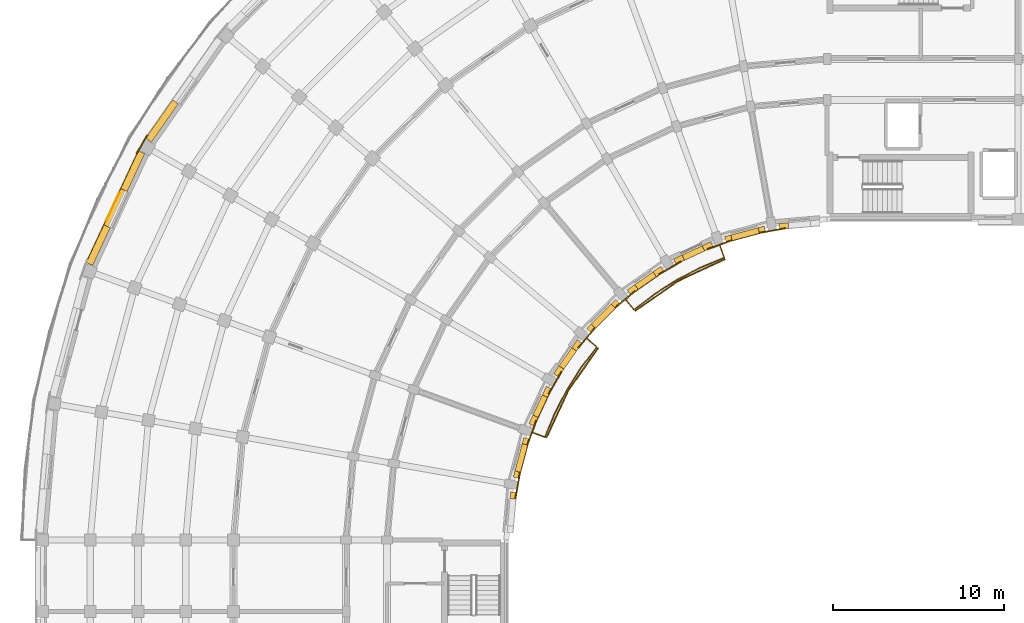
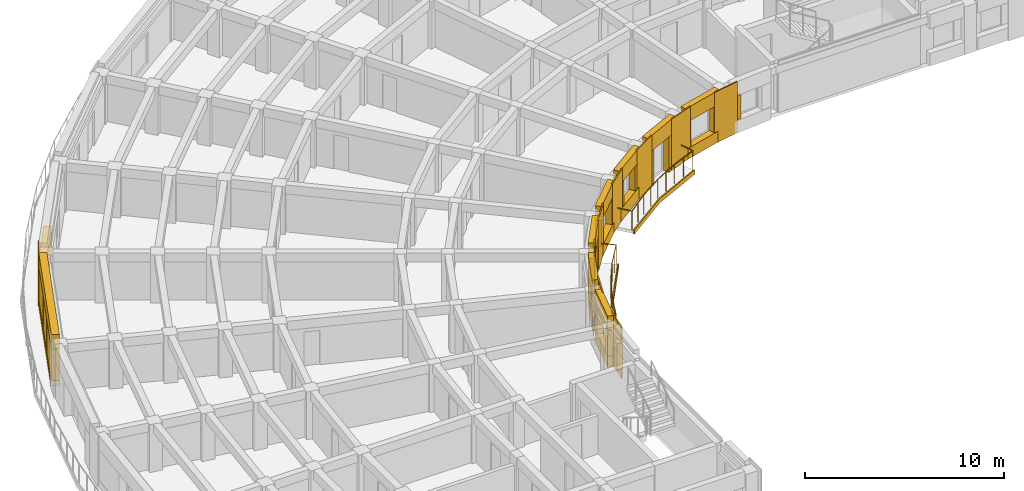
# One storey, part 45 of 54: 44 coverings, 2 railings, 1 shading device.
"""IFC4 building model written with IfcOpenShell, lengths in metres."""

from ifc_helpers import new_model, si_unit, direction, frame, origin, origin_2d, place, context, subcontext, project, spatial, polyline, rectangle, circle, outline, extrude, material, layer, layer_set, type_object, element, save


model = new_model("IFC4")

# Units and contexts
model_context = context("Model", 3, precision=1e-05, world=origin(), true_north=direction((0.0, 1.0)))
body_context = subcontext(model_context, "Body", "Model", "MODEL_VIEW")
ifc_project = project(units=[si_unit("LENGTHUNIT", "METRE"), si_unit("AREAUNIT", "SQUARE_METRE"), si_unit("VOLUMEUNIT", "CUBIC_METRE"), si_unit("PLANEANGLEUNIT", "RADIAN"), si_unit("MASSUNIT", "GRAM", prefix="KILO")], contexts=[model_context])

# Site, building, storey
site_placement = place(None, origin())
site = spatial("IfcSite", under=ifc_project, at=site_placement, CompositionType="ELEMENT")
building_placement = place(site_placement, origin())
building = spatial("IfcBuilding", under=site, at=building_placement, Name="Kiranvali Square Residences", CompositionType="ELEMENT")
storey_placement = place(building_placement, frame((0.0, 0.0, 27.60009765625)))
storey = spatial("IfcBuildingStorey", under=building, at=storey_placement, Name="L08", CompositionType="ELEMENT", Elevation=27.60009765625)

# Coverings
ifc_material_1 = material(Name="Carved Porbandar limestone classical entablature and cornice", Category="masonry")
ifc_layer_1 = layer(ifc_material_1, 0.06201171875)
ifc_layer_set_1 = layer_set([ifc_layer_1], Name="Carved Porbandar limestone classical entablature and cornice")
covering_type_1 = type_object("IfcCoveringType", Name="COV-CLAD-GBAL", PredefinedType="CLADDING", material=ifc_layer_set_1)
covering_1_placement = place(storey_placement, frame((0.0, 0.0, -0.22021484375)))
element("IfcCovering", 1, at=covering_1_placement, inside=storey, type_object=covering_type_1, Name="Block A L08 garden balcony limestone fascia 1", PredefinedType="CLADDING", context=body_context, shape_type="SweptSolid", body=[
    extrude(outline(polyline([(42.1982421875, 104.289794921875), (39.426025390625, 102.9970703125), (36.92041015625, 101.242431640625), (36.964111328125, 101.1904296875), (39.4599609375, 102.938232421875), (42.221435546875, 104.225830078125), (42.1982421875, 104.289794921875)])), origin(), (0.0, 0.0, 1.0), 0.27001953125),
])
covering_2_placement = place(storey_placement, frame((0.0, 0.0, -0.22021484375)))
element("IfcCovering", 2, at=covering_2_placement, inside=storey, type_object=covering_type_1, Name="Block A L08 garden balcony limestone fascia 2", PredefinedType="CLADDING", context=body_context, shape_type="SweptSolid", body=[
    extrude(outline(polyline([(34.757568359375, 99.07958984375), (33.0029296875, 96.573974609375), (31.710205078125, 93.8017578125), (31.774169921875, 93.778564453125), (33.061767578125, 96.5400390625), (34.8095703125, 99.035888671875), (34.757568359375, 99.07958984375)])), origin(), (0.0, 0.0, 1.0), 0.27001953125),
])
ifc_material_2 = material(Name="Honed Porbandar limestone ashlar facade cladding", Category="masonry")
ifc_layer_2 = layer(ifc_material_2, 0.3798828125)
ifc_layer_set_2 = layer_set([ifc_layer_2], Name="Honed Porbandar limestone ashlar facade cladding")
covering_type_2 = type_object("IfcCoveringType", Name="COV-CLAD-JAMB", PredefinedType="CLADDING", material=ifc_layer_set_2)
covering_3_placement = place(storey_placement, frame((0.0, 0.0, 0.52197265625)))
element("IfcCovering", 3, at=covering_3_placement, inside=storey, type_object=covering_type_2, Name="L08 deep limestone window jamb reveal A-L08-CRV-05.R", PredefinedType="CLADDING", context=body_context, shape_type="SweptSolid", body=[
    extrude(outline(polyline([(9.82470703125, 113.6025390625), (8.25634765625, 111.36279296875), (8.591796875, 111.1279296875), (10.16015625, 113.36767578125), (9.82470703125, 113.6025390625)])), origin(), (0.0, 0.0, 1.0), 1.75),
])
covering_4_placement = place(storey_placement, frame((0.0, 0.0, 0.322021484375)))
element("IfcCovering", 4, at=covering_4_placement, inside=storey, type_object=covering_type_2, Name="L08 deep limestone window jamb reveal A-L08-CRV-06.L", PredefinedType="CLADDING", context=body_context, shape_type="SweptSolid", body=[
    extrude(outline(polyline([(7.822265625, 110.61083984375), (6.79345703125, 108.404541015625), (7.16455078125, 108.231689453125), (8.193359375, 110.437744140625), (7.822265625, 110.61083984375)])), origin(), (0.0, 0.0, 1.0), 1.949951171875),
])
covering_5_placement = place(storey_placement, frame((0.0, 0.0, 0.322021484375)))
element("IfcCovering", 5, at=covering_5_placement, inside=storey, type_object=covering_type_2, Name="L08 deep limestone window jamb reveal A-L08-CRV-06.R", PredefinedType="CLADDING", context=body_context, shape_type="SweptSolid", body=[
    extrude(outline(polyline([(5.80029296875, 106.27490234375), (4.771484375, 104.068603515625), (5.142822265625, 103.895751953125), (6.17138671875, 106.101806640625), (5.80029296875, 106.27490234375)])), origin(), (0.0, 0.0, 1.0), 1.949951171875),
])
covering_6_placement = place(storey_placement, frame((0.0, 0.0, 0.77197265625)))
element("IfcCovering", 6, at=covering_6_placement, inside=storey, type_object=covering_type_2, Name="L08 deep limestone window jamb reveal A-L08-GDN-00.R", PredefinedType="CLADDING", context=body_context, shape_type="SweptSolid", body=[
    extrude(outline(polyline([(45.920166015625, 106.400146484375), (45.373779296875, 106.352294921875), (45.4033203125, 106.013916015625), (45.94970703125, 106.061767578125), (45.920166015625, 106.400146484375)])), origin(), (0.0, 0.0, 1.0), 1.5),
])
covering_7_placement = place(storey_placement, frame((0.0, 0.0, 0.671875)))
element("IfcCovering", 7, at=covering_7_placement, inside=storey, type_object=covering_type_2, Name="L08 deep limestone window jamb reveal A-L08-GDN-01.L", PredefinedType="CLADDING", context=body_context, shape_type="SweptSolid", body=[
    extrude(outline(polyline([(44.510498046875, 106.199951171875), (44.149658203125, 106.103271484375), (44.237548828125, 105.775390625), (44.598388671875, 105.8720703125), (44.510498046875, 106.199951171875)])), origin(), (0.0, 0.0, 1.0), 1.60009765625),
])
covering_8_placement = place(storey_placement, frame((0.0, 0.0, 0.671875)))
element("IfcCovering", 8, at=covering_8_placement, inside=storey, type_object=covering_type_2, Name="L08 deep limestone window jamb reveal A-L08-GDN-01.R", PredefinedType="CLADDING", context=body_context, shape_type="SweptSolid", body=[
    extrude(outline(polyline([(42.555908203125, 105.67626953125), (42.195068359375, 105.57958984375), (42.282958984375, 105.251708984375), (42.643798828125, 105.348388671875), (42.555908203125, 105.67626953125)])), origin(), (0.0, 0.0, 1.0), 1.60009765625),
])
covering_9_placement = place(storey_placement, origin())
element("IfcCovering", 9, at=covering_9_placement, inside=storey, type_object=covering_type_2, Name="L08 deep limestone window jamb reveal A-L08-GDN-02.L", PredefinedType="CLADDING", context=body_context, shape_type="SweptSolid", body=[
    extrude(outline(polyline([(41.37158203125, 105.27978515625), (40.874267578125, 105.048095703125), (41.017822265625, 104.740234375), (41.514892578125, 104.97216796875), (41.37158203125, 105.27978515625)])), origin(), (0.0, 0.0, 1.0), 2.179931640625),
])
covering_10_placement = place(storey_placement, origin())
element("IfcCovering", 10, at=covering_10_placement, inside=storey, type_object=covering_type_2, Name="L08 deep limestone window jamb reveal A-L08-GDN-02.R", PredefinedType="CLADDING", context=body_context, shape_type="SweptSolid", body=[
    extrude(outline(polyline([(39.696044921875, 104.49853515625), (39.198974609375, 104.266845703125), (39.342529296875, 103.958984375), (39.839599609375, 104.19091796875), (39.696044921875, 104.49853515625)])), origin(), (0.0, 0.0, 1.0), 2.179931640625),
])
covering_11_placement = place(storey_placement, frame((0.0, 0.0, 0.77197265625)))
element("IfcCovering", 11, at=covering_11_placement, inside=storey, type_object=covering_type_2, Name="L08 deep limestone window jamb reveal A-L08-GDN-03.L", PredefinedType="CLADDING", context=body_context, shape_type="SweptSolid", body=[
    extrude(outline(polyline([(38.43994140625, 103.828369140625), (37.990478515625, 103.513916015625), (38.185302734375, 103.23583984375), (38.634521484375, 103.55029296875), (38.43994140625, 103.828369140625)])), origin(), (0.0, 0.0, 1.0), 1.5),
])
covering_12_placement = place(storey_placement, frame((0.0, 0.0, 0.77197265625)))
element("IfcCovering", 12, at=covering_12_placement, inside=storey, type_object=covering_type_2, Name="L08 deep limestone window jamb reveal A-L08-GDN-03.R", PredefinedType="CLADDING", context=body_context, shape_type="SweptSolid", body=[
    extrude(outline(polyline([(36.925537109375, 102.768310546875), (36.476318359375, 102.45361328125), (36.671142578125, 102.175537109375), (37.120361328125, 102.490234375), (36.925537109375, 102.768310546875)])), origin(), (0.0, 0.0, 1.0), 1.5),
])
covering_13_placement = place(storey_placement, frame((0.0, 0.0, 0.671875)))
element("IfcCovering", 13, at=covering_13_placement, inside=storey, type_object=covering_type_2, Name="L08 deep limestone window jamb reveal A-L08-GDN-04.L", PredefinedType="CLADDING", context=body_context, shape_type="SweptSolid", body=[
    extrude(outline(polyline([(35.804931640625, 101.89013671875), (35.540771484375, 101.6259765625), (35.78076171875, 101.385986328125), (36.044921875, 101.650146484375), (35.804931640625, 101.89013671875)])), origin(), (0.0, 0.0, 1.0), 1.60009765625),
])
covering_14_placement = place(storey_placement, frame((0.0, 0.0, 0.671875)))
element("IfcCovering", 14, at=covering_14_placement, inside=storey, type_object=covering_type_2, Name="L08 deep limestone window jamb reveal A-L08-GDN-04.R", PredefinedType="CLADDING", context=body_context, shape_type="SweptSolid", body=[
    extrude(outline(polyline([(34.3740234375, 100.459228515625), (34.10986328125, 100.195068359375), (34.349853515625, 99.955078125), (34.614013671875, 100.21923828125), (34.3740234375, 100.459228515625)])), origin(), (0.0, 0.0, 1.0), 1.60009765625),
])
covering_15_placement = place(storey_placement, origin())
element("IfcCovering", 15, at=covering_15_placement, inside=storey, type_object=covering_type_2, Name="L08 deep limestone window jamb reveal A-L08-GDN-05.L", PredefinedType="CLADDING", context=body_context, shape_type="SweptSolid", body=[
    extrude(outline(polyline([(33.54638671875, 99.523681640625), (33.231689453125, 99.074462890625), (33.509765625, 98.879638671875), (33.824462890625, 99.328857421875), (33.54638671875, 99.523681640625)])), origin(), (0.0, 0.0, 1.0), 2.179931640625),
])
covering_16_placement = place(storey_placement, origin())
element("IfcCovering", 16, at=covering_16_placement, inside=storey, type_object=covering_type_2, Name="L08 deep limestone window jamb reveal A-L08-GDN-05.R", PredefinedType="CLADDING", context=body_context, shape_type="SweptSolid", body=[
    extrude(outline(polyline([(32.486083984375, 98.009521484375), (32.171630859375, 97.56005859375), (32.44970703125, 97.365478515625), (32.76416015625, 97.814697265625), (32.486083984375, 98.009521484375)])), origin(), (0.0, 0.0, 1.0), 2.179931640625),
])
covering_17_placement = place(storey_placement, frame((0.0, 0.0, 0.77197265625)))
element("IfcCovering", 17, at=covering_17_placement, inside=storey, type_object=covering_type_2, Name="L08 deep limestone window jamb reveal A-L08-GDN-06.L", PredefinedType="CLADDING", context=body_context, shape_type="SweptSolid", body=[
    extrude(outline(polyline([(31.733154296875, 96.801025390625), (31.50146484375, 96.303955078125), (31.80908203125, 96.160400390625), (32.041015625, 96.657470703125), (31.733154296875, 96.801025390625)])), origin(), (0.0, 0.0, 1.0), 1.5),
])
covering_18_placement = place(storey_placement, frame((0.0, 0.0, 0.77197265625)))
element("IfcCovering", 18, at=covering_18_placement, inside=storey, type_object=covering_type_2, Name="L08 deep limestone window jamb reveal A-L08-GDN-06.R", PredefinedType="CLADDING", context=body_context, shape_type="SweptSolid", body=[
    extrude(outline(polyline([(30.951904296875, 95.125732421875), (30.72021484375, 94.62841796875), (31.02783203125, 94.485107421875), (31.259765625, 94.982177734375), (30.951904296875, 95.125732421875)])), origin(), (0.0, 0.0, 1.0), 1.5),
])
covering_19_placement = place(storey_placement, frame((0.0, 0.0, 0.671875)))
element("IfcCovering", 19, at=covering_19_placement, inside=storey, type_object=covering_type_2, Name="L08 deep limestone window jamb reveal A-L08-GDN-07.L", PredefinedType="CLADDING", context=body_context, shape_type="SweptSolid", body=[
    extrude(outline(polyline([(30.42041015625, 93.804931640625), (30.32373046875, 93.444091796875), (30.651611328125, 93.356201171875), (30.748291015625, 93.717041015625), (30.42041015625, 93.804931640625)])), origin(), (0.0, 0.0, 1.0), 1.60009765625),
])
covering_20_placement = place(storey_placement, frame((0.0, 0.0, 0.671875)))
element("IfcCovering", 20, at=covering_20_placement, inside=storey, type_object=covering_type_2, Name="L08 deep limestone window jamb reveal A-L08-GDN-07.R", PredefinedType="CLADDING", context=body_context, shape_type="SweptSolid", body=[
    extrude(outline(polyline([(29.896728515625, 91.850341796875), (29.800048828125, 91.489501953125), (30.1279296875, 91.401611328125), (30.224609375, 91.762451171875), (29.896728515625, 91.850341796875)])), origin(), (0.0, 0.0, 1.0), 1.60009765625),
])
covering_21_placement = place(storey_placement, frame((0.0, 0.0, 0.621826171875)))
element("IfcCovering", 21, at=covering_21_placement, inside=storey, type_object=covering_type_2, Name="L08 deep limestone window jamb reveal A-L08-GDN-08.L", PredefinedType="CLADDING", context=body_context, shape_type="SweptSolid", body=[
    extrude(outline(polyline([(29.647705078125, 90.626220703125), (29.613037109375, 90.229248046875), (29.951171875, 90.19970703125), (29.986083984375, 90.5966796875), (29.647705078125, 90.626220703125)])), origin(), (0.0, 0.0, 1.0), 1.650146484375),
])
ifc_layer_3 = layer(ifc_material_2, 0.06494140625)
ifc_layer_set_3 = layer_set([ifc_layer_3], Name="Honed Porbandar limestone ashlar facade cladding")
covering_type_3 = type_object("IfcCoveringType", Name="COV-CLAD-PIER", PredefinedType="CLADDING", material=ifc_layer_set_3)
covering_22_placement = place(storey_placement, frame((0.0, 0.0, 0.0048828125)))
element("IfcCovering", 22, at=covering_22_placement, inside=storey, type_object=covering_type_3, Name="L08 Classical limestone corner pilaster CLAD-PR-A-L08-A06", PredefinedType="CLADDING", context=body_context, shape_type="SweptSolid", body=[
    extrude(outline(polyline([(8.31591796875, 111.5546875), (7.685791015625, 110.46337890625), (7.744384765625, 110.4296875), (8.374267578125, 111.520751953125), (8.31591796875, 111.5546875)])), origin(), (0.0, 0.0, 1.0), 3.14013671875),
])
ifc_layer_4 = layer(ifc_material_2, 0.050048828125)
ifc_layer_set_4 = layer_set([ifc_layer_4], Name="Honed Porbandar limestone ashlar facade cladding")
covering_type_4 = type_object("IfcCoveringType", Name="COV-CLAD-PIER-IN", PredefinedType="CLADDING", material=ifc_layer_set_4)
covering_23_placement = place(storey_placement, frame((0.0, 0.0, 0.0048828125)))
element("IfcCovering", 23, at=covering_23_placement, inside=storey, type_object=covering_type_4, Name="L08 Classical garden courtyard pilaster CLAD-PRIN-A-L08-A01", PredefinedType="CLADDING", context=body_context, shape_type="SweptSolid", body=[
    extrude(outline(polyline([(44.269287109375, 105.7724609375), (45.74658203125, 106.032958984375), (45.73486328125, 106.099365234375), (44.257568359375, 105.8388671875), (44.269287109375, 105.7724609375)])), origin(), (0.0, 0.0, 1.0), 3.14013671875),
])
covering_24_placement = place(storey_placement, frame((0.0, 0.0, 0.0048828125)))
element("IfcCovering", 24, at=covering_24_placement, inside=storey, type_object=covering_type_4, Name="L08 Classical garden courtyard pilaster CLAD-PRIN-A-L08-A02", PredefinedType="CLADDING", context=body_context, shape_type="SweptSolid", body=[
    extrude(outline(polyline([(41.208251953125, 104.81689453125), (42.61767578125, 105.329833984375), (42.5947265625, 105.393310546875), (41.18505859375, 104.88037109375), (41.208251953125, 104.81689453125)])), origin(), (0.0, 0.0, 1.0), 3.14013671875),
])
covering_25_placement = place(storey_placement, frame((0.0, 0.0, 0.0048828125)))
element("IfcCovering", 25, at=covering_25_placement, inside=storey, type_object=covering_type_4, Name="L08 Classical garden courtyard pilaster CLAD-PRIN-A-L08-A03", PredefinedType="CLADDING", context=body_context, shape_type="SweptSolid", body=[
    extrude(outline(polyline([(38.359375, 103.34423828125), (39.658447265625, 104.09423828125), (39.624755859375, 104.15283203125), (38.32568359375, 103.40283203125), (38.359375, 103.34423828125)])), origin(), (0.0, 0.0, 1.0), 3.14013671875),
])
covering_26_placement = place(storey_placement, frame((0.0, 0.0, 0.0048828125)))
element("IfcCovering", 26, at=covering_26_placement, inside=storey, type_object=covering_type_4, Name="L08 Classical garden courtyard pilaster CLAD-PRIN-A-L08-A04", PredefinedType="CLADDING", context=body_context, shape_type="SweptSolid", body=[
    extrude(outline(polyline([(35.809814453125, 101.3994140625), (36.958740234375, 102.363525390625), (36.91552734375, 102.415283203125), (35.766357421875, 101.451171875), (35.809814453125, 101.3994140625)])), origin(), (0.0, 0.0, 1.0), 3.14013671875),
])
covering_27_placement = place(storey_placement, frame((0.0, 0.0, 0.0048828125)))
element("IfcCovering", 27, at=covering_27_placement, inside=storey, type_object=covering_type_4, Name="L08 Classical garden courtyard pilaster CLAD-PRIN-A-L08-A05", PredefinedType="CLADDING", context=body_context, shape_type="SweptSolid", body=[
    extrude(outline(polyline([(33.636474609375, 99.041259765625), (34.6005859375, 100.190185546875), (34.548828125, 100.233642578125), (33.584716796875, 99.08447265625), (33.636474609375, 99.041259765625)])), origin(), (0.0, 0.0, 1.0), 3.14013671875),
])
covering_28_placement = place(storey_placement, frame((0.0, 0.0, 0.0048828125)))
element("IfcCovering", 28, at=covering_28_placement, inside=storey, type_object=covering_type_4, Name="L08 Classical garden courtyard pilaster CLAD-PRIN-A-L08-A06", PredefinedType="CLADDING", context=body_context, shape_type="SweptSolid", body=[
    extrude(outline(polyline([(31.90576171875, 96.341552734375), (32.65576171875, 97.640625), (32.59716796875, 97.67431640625), (31.84716796875, 96.375244140625), (31.90576171875, 96.341552734375)])), origin(), (0.0, 0.0, 1.0), 3.14013671875),
])
covering_29_placement = place(storey_placement, frame((0.0, 0.0, 0.0048828125)))
element("IfcCovering", 29, at=covering_29_placement, inside=storey, type_object=covering_type_4, Name="L08 Classical garden courtyard pilaster CLAD-PRIN-A-L08-A07", PredefinedType="CLADDING", context=body_context, shape_type="SweptSolid", body=[
    extrude(outline(polyline([(30.670166015625, 93.38232421875), (31.18310546875, 94.791748046875), (31.11962890625, 94.81494140625), (30.606689453125, 93.4052734375), (30.670166015625, 93.38232421875)])), origin(), (0.0, 0.0, 1.0), 3.14013671875),
])
covering_30_placement = place(storey_placement, frame((0.0, 0.0, 0.0048828125)))
element("IfcCovering", 30, at=covering_30_placement, inside=storey, type_object=covering_type_4, Name="L08 Classical garden courtyard pilaster CLAD-PRIN-A-L08-A08", PredefinedType="CLADDING", context=body_context, shape_type="SweptSolid", body=[
    extrude(outline(polyline([(29.967041015625, 90.25341796875), (30.2275390625, 91.730712890625), (30.1611328125, 91.742431640625), (29.900634765625, 90.26513671875), (29.967041015625, 90.25341796875)])), origin(), (0.0, 0.0, 1.0), 3.14013671875),
])
ifc_layer_5 = layer(ifc_material_2, 0.360107421875)
ifc_layer_set_5 = layer_set([ifc_layer_5], Name="Honed Porbandar limestone ashlar facade cladding")
covering_type_5 = type_object("IfcCoveringType", Name="COV-CLAD-WALL", PredefinedType="CLADDING", material=ifc_layer_set_5)
covering_31_placement = place(storey_placement, frame((0.0, 0.0, 2.27197265625)))
element("IfcCovering", 31, at=covering_31_placement, inside=storey, type_object=covering_type_5, Name="L08 light limestone spandrel lintel A-L08-CRV-06", PredefinedType="CLADDING", context=body_context, shape_type="SweptSolid", body=[
    extrude(outline(polyline([(7.822265625, 110.61083984375), (4.771484375, 104.068603515625), (5.142822265625, 103.895751953125), (8.193359375, 110.437744140625), (7.822265625, 110.61083984375)])), origin(), (0.0, 0.0, 1.0), 0.873046875),
])
covering_32_placement = place(storey_placement, frame((0.0, 0.0, 0.0048828125)))
element("IfcCovering", 32, at=covering_32_placement, inside=storey, type_object=covering_type_5, Name="L08 limestone window sill apron A-L08-CRV-06", PredefinedType="CLADDING", context=body_context, shape_type="SweptSolid", body=[
    extrude(outline(polyline([(7.794921875, 110.62353515625), (4.744384765625, 104.081298828125), (5.142822265625, 103.895751953125), (8.193359375, 110.437744140625), (7.794921875, 110.62353515625)])), origin(), (0.0, 0.0, 1.0), 0.317138671875),
])
covering_33_placement = place(storey_placement, frame((0.0, 0.0, 2.27197265625)))
element("IfcCovering", 33, at=covering_33_placement, inside=storey, type_object=covering_type_5, Name="L08 light limestone spandrel lintel A-L08-GDN-01", PredefinedType="CLADDING", context=body_context, shape_type="SweptSolid", body=[
    extrude(outline(polyline([(44.510498046875, 106.199951171875), (42.195068359375, 105.57958984375), (42.282958984375, 105.251708984375), (44.598388671875, 105.8720703125), (44.510498046875, 106.199951171875)])), origin(), (0.0, 0.0, 1.0), 0.873046875),
])
covering_34_placement = place(storey_placement, frame((0.0, 0.0, 2.179931640625)))
element("IfcCovering", 34, at=covering_34_placement, inside=storey, type_object=covering_type_5, Name="L08 light limestone spandrel lintel A-L08-GDN-02", PredefinedType="CLADDING", context=body_context, shape_type="SweptSolid", body=[
    extrude(outline(polyline([(41.37158203125, 105.27978515625), (39.198974609375, 104.266845703125), (39.342529296875, 103.958984375), (41.514892578125, 104.97216796875), (41.37158203125, 105.27978515625)])), origin(), (0.0, 0.0, 1.0), 0.965087890625),
])
covering_35_placement = place(storey_placement, frame((0.0, 0.0, 2.27197265625)))
element("IfcCovering", 35, at=covering_35_placement, inside=storey, type_object=covering_type_5, Name="L08 light limestone spandrel lintel A-L08-GDN-03", PredefinedType="CLADDING", context=body_context, shape_type="SweptSolid", body=[
    extrude(outline(polyline([(38.43994140625, 103.828369140625), (36.476318359375, 102.45361328125), (36.671142578125, 102.175537109375), (38.634521484375, 103.55029296875), (38.43994140625, 103.828369140625)])), origin(), (0.0, 0.0, 1.0), 0.873046875),
])
covering_36_placement = place(storey_placement, frame((0.0, 0.0, 2.27197265625)))
element("IfcCovering", 36, at=covering_36_placement, inside=storey, type_object=covering_type_5, Name="L08 light limestone spandrel lintel A-L08-GDN-04", PredefinedType="CLADDING", context=body_context, shape_type="SweptSolid", body=[
    extrude(outline(polyline([(35.804931640625, 101.89013671875), (34.10986328125, 100.195068359375), (34.349853515625, 99.955078125), (36.044921875, 101.650146484375), (35.804931640625, 101.89013671875)])), origin(), (0.0, 0.0, 1.0), 0.873046875),
])
covering_37_placement = place(storey_placement, frame((0.0, 0.0, 2.179931640625)))
element("IfcCovering", 37, at=covering_37_placement, inside=storey, type_object=covering_type_5, Name="L08 light limestone spandrel lintel A-L08-GDN-05", PredefinedType="CLADDING", context=body_context, shape_type="SweptSolid", body=[
    extrude(outline(polyline([(33.54638671875, 99.523681640625), (32.171630859375, 97.56005859375), (32.44970703125, 97.365478515625), (33.824462890625, 99.328857421875), (33.54638671875, 99.523681640625)])), origin(), (0.0, 0.0, 1.0), 0.965087890625),
])
covering_38_placement = place(storey_placement, frame((0.0, 0.0, 2.27197265625)))
element("IfcCovering", 38, at=covering_38_placement, inside=storey, type_object=covering_type_5, Name="L08 light limestone spandrel lintel A-L08-GDN-06", PredefinedType="CLADDING", context=body_context, shape_type="SweptSolid", body=[
    extrude(outline(polyline([(31.733154296875, 96.801025390625), (30.72021484375, 94.62841796875), (31.02783203125, 94.485107421875), (32.041015625, 96.657470703125), (31.733154296875, 96.801025390625)])), origin(), (0.0, 0.0, 1.0), 0.873046875),
])
covering_39_placement = place(storey_placement, frame((0.0, 0.0, 2.27197265625)))
element("IfcCovering", 39, at=covering_39_placement, inside=storey, type_object=covering_type_5, Name="L08 light limestone spandrel lintel A-L08-GDN-07", PredefinedType="CLADDING", context=body_context, shape_type="SweptSolid", body=[
    extrude(outline(polyline([(30.42041015625, 93.804931640625), (29.800048828125, 91.489501953125), (30.1279296875, 91.401611328125), (30.748291015625, 93.717041015625), (30.42041015625, 93.804931640625)])), origin(), (0.0, 0.0, 1.0), 0.873046875),
])
ifc_layer_6 = layer(ifc_material_2, 0.2900390625)
ifc_layer_set_6 = layer_set([ifc_layer_6], Name="Honed Porbandar limestone ashlar facade cladding")
covering_type_6 = type_object("IfcCoveringType", Name="COV-CLAD-WALL-IN", PredefinedType="CLADDING", material=ifc_layer_set_6)
covering_40_placement = place(storey_placement, frame((0.0, 0.0, 0.0048828125)))
element("IfcCovering", 40, at=covering_40_placement, inside=storey, type_object=covering_type_6, Name="L08 limestone window sill apron A-L08-GDN-01", PredefinedType="CLADDING", context=body_context, shape_type="SweptSolid", body=[
    extrude(outline(polyline([(44.510498046875, 106.199951171875), (42.195068359375, 105.57958984375), (42.290771484375, 105.22265625), (44.606201171875, 105.843017578125), (44.510498046875, 106.199951171875)])), origin(), (0.0, 0.0, 1.0), 0.6669921875),
])
covering_41_placement = place(storey_placement, frame((0.0, 0.0, 0.0048828125)))
element("IfcCovering", 41, at=covering_41_placement, inside=storey, type_object=covering_type_6, Name="L08 limestone window sill apron A-L08-GDN-03", PredefinedType="CLADDING", context=body_context, shape_type="SweptSolid", body=[
    extrude(outline(polyline([(38.43994140625, 103.828369140625), (36.476318359375, 102.45361328125), (36.688232421875, 102.15087890625), (38.65185546875, 103.52587890625), (38.43994140625, 103.828369140625)])), origin(), (0.0, 0.0, 1.0), 0.76708984375),
])
covering_42_placement = place(storey_placement, frame((0.0, 0.0, 0.0048828125)))
element("IfcCovering", 42, at=covering_42_placement, inside=storey, type_object=covering_type_6, Name="L08 limestone window sill apron A-L08-GDN-04", PredefinedType="CLADDING", context=body_context, shape_type="SweptSolid", body=[
    extrude(outline(polyline([(35.804931640625, 101.89013671875), (34.10986328125, 100.195068359375), (34.37109375, 99.933837890625), (36.066162109375, 101.62890625), (35.804931640625, 101.89013671875)])), origin(), (0.0, 0.0, 1.0), 0.6669921875),
])
covering_43_placement = place(storey_placement, frame((0.0, 0.0, 0.0048828125)))
element("IfcCovering", 43, at=covering_43_placement, inside=storey, type_object=covering_type_6, Name="L08 limestone window sill apron A-L08-GDN-06", PredefinedType="CLADDING", context=body_context, shape_type="SweptSolid", body=[
    extrude(outline(polyline([(31.733154296875, 96.801025390625), (30.72021484375, 94.62841796875), (31.05517578125, 94.472412109375), (32.068115234375, 96.644775390625), (31.733154296875, 96.801025390625)])), origin(), (0.0, 0.0, 1.0), 0.76708984375),
])
covering_44_placement = place(storey_placement, frame((0.0, 0.0, 0.0048828125)))
element("IfcCovering", 44, at=covering_44_placement, inside=storey, type_object=covering_type_6, Name="L08 limestone window sill apron A-L08-GDN-07", PredefinedType="CLADDING", context=body_context, shape_type="SweptSolid", body=[
    extrude(outline(polyline([(30.42041015625, 93.804931640625), (29.800048828125, 91.489501953125), (30.156982421875, 91.393798828125), (30.77734375, 93.709228515625), (30.42041015625, 93.804931640625)])), origin(), (0.0, 0.0, 1.0), 0.6669921875),
])

# Railings
ifc_material_3 = material(Name="Powder-coated architectural bronze balustrade", Category="steel")
railing_type = type_object("IfcRailingType", Name="RL-BAL-GOLD-1200", PredefinedType="BALUSTRADE", material=ifc_material_3)
railing_1_placement = place(storey_placement, frame((41.78369140625, 105.4287109375, 0.0)))
element("IfcRailing", 45, at=railing_1_placement, inside=storey, type_object=railing_type, Name="Block A L08 garden balcony gold balustrade 1", PredefinedType="BALUSTRADE", context=body_context, shape_type="SweptSolid", body=[
    extrude(circle(Radius=0.02392578125, at=origin_2d()), frame((0.0, 0.0, 1.17578125), z_axis=(0.341964618562, -0.939712828289, 0.0), x_axis=(0.939712828289, 0.341964618562, 0.0)), (0.0, 0.0, 1.0), 1.150146484375),
    extrude(circle(Radius=0.02392578125, at=origin_2d()), frame((0.393310546875, -1.080810546875, 1.17578125), z_axis=(-0.923892883829, -0.382651197843, 0.0), x_axis=(0.382651197843, -0.923892883829, 0.0)), (0.0, 0.0, 1.0), 1.536376953125),
    extrude(circle(Radius=0.02392578125, at=origin_2d()), frame((-1.026123046875, -1.668701171875, 1.17578125), z_axis=(-0.887029366154, -0.461713009976, 0.0), x_axis=(0.461713009976, -0.887029366154, 0.0)), (0.0, 0.0, 1.0), 1.5361328125),
    extrude(circle(Radius=0.02392578125, at=origin_2d()), frame((-2.388671875, -2.3779296875, 1.17578125), z_axis=(-0.843386539688, -0.537307309343, 0.0), x_axis=(0.537307309343, -0.843386539688, 0.0)), (0.0, 0.0, 1.0), 1.5361328125),
    extrude(circle(Radius=0.02392578125, at=origin_2d()), frame((-3.684326171875, -3.203369140625, 1.17578125), z_axis=(-0.793314680996, -0.608811807471, 0.0), x_axis=(0.608811807471, -0.793314680996, 0.0)), (0.0, 0.0, 1.0), 1.536376953125),
    extrude(circle(Radius=0.02392578125, at=origin_2d()), frame((-4.903076171875, -4.138671875, 1.17578125), z_axis=(-0.642853454051, 0.765989188314, 0.0), x_axis=(-0.765989188314, -0.642853454051, 0.0)), (0.0, 0.0, 1.0), 1.14990234375),
    extrude(circle(Radius=0.02099609375, at=origin_2d()), origin(), (0.0, 0.0, 1.0), 1.15185546875),
    extrude(circle(Radius=0.02099609375, at=origin_2d()), frame((0.393310546875, -1.080810546875, 0.0)), (0.0, 0.0, 1.0), 1.15185546875),
    extrude(circle(Radius=0.02099609375, at=origin_2d()), frame((-0.31640625, -1.374755859375, 0.0)), (0.0, 0.0, 1.0), 1.15185546875),
    extrude(circle(Radius=0.02099609375, at=origin_2d()), frame((-1.026123046875, -1.668701171875, 0.0)), (0.0, 0.0, 1.0), 1.15185546875),
    extrude(circle(Radius=0.02099609375, at=origin_2d()), frame((-1.70751953125, -2.0234375, 0.0)), (0.0, 0.0, 1.0), 1.15185546875),
    extrude(circle(Radius=0.02099609375, at=origin_2d()), frame((-2.388671875, -2.3779296875, 0.0)), (0.0, 0.0, 1.0), 1.15185546875),
    extrude(circle(Radius=0.02099609375, at=origin_2d()), frame((-3.03662109375, -2.79052734375, 0.0)), (0.0, 0.0, 1.0), 1.15185546875),
    extrude(circle(Radius=0.02099609375, at=origin_2d()), frame((-3.684326171875, -3.203369140625, 0.0)), (0.0, 0.0, 1.0), 1.15185546875),
    extrude(circle(Radius=0.02099609375, at=origin_2d()), frame((-4.293701171875, -3.6708984375, 0.0)), (0.0, 0.0, 1.0), 1.15185546875),
    extrude(circle(Radius=0.02099609375, at=origin_2d()), frame((-4.903076171875, -4.138671875, 0.0)), (0.0, 0.0, 1.0), 1.15185546875),
    extrude(circle(Radius=0.02099609375, at=origin_2d()), frame((-5.642333984375, -3.2578125, 0.0)), (0.0, 0.0, 1.0), 1.15185546875),
])
railing_2_placement = place(storey_placement, frame((33.8291015625, 99.858642578125, 0.0)))
element("IfcRailing", 46, at=railing_2_placement, inside=storey, type_object=railing_type, Name="Block A L08 garden balcony gold balustrade 2", PredefinedType="BALUSTRADE", context=body_context, shape_type="SweptSolid", body=[
    extrude(circle(Radius=0.02392578125, at=origin_2d()), frame((0.0, 0.0, 1.17578125), z_axis=(0.765989188314, -0.642853454051, 0.0), x_axis=(0.642853454051, 0.765989188314, 0.0)), (0.0, 0.0, 1.0), 1.14990234375),
    extrude(circle(Radius=0.02392578125, at=origin_2d()), frame((0.880859375, -0.7392578125, 1.17578125), z_axis=(-0.608811807471, -0.793314680996, 0.0), x_axis=(0.793314680996, -0.608811807471, 0.0)), (0.0, 0.0, 1.0), 1.536376953125),
    extrude(circle(Radius=0.02392578125, at=origin_2d()), frame((-0.054443359375, -1.9580078125, 1.17578125), z_axis=(-0.537307309343, -0.843386539688, 0.0), x_axis=(0.843386539688, -0.537307309343, 0.0)), (0.0, 0.0, 1.0), 1.5361328125),
    extrude(circle(Radius=0.02392578125, at=origin_2d()), frame((-0.8798828125, -3.253662109375, 1.17578125), z_axis=(-0.461713009976, -0.887029366154, 0.0), x_axis=(0.887029366154, -0.461713009976, 0.0)), (0.0, 0.0, 1.0), 1.5361328125),
    extrude(circle(Radius=0.02392578125, at=origin_2d()), frame((-1.589111328125, -4.6162109375, 1.17578125), z_axis=(-0.382651197843, -0.923892883829, 0.0), x_axis=(0.923892883829, -0.382651197843, 0.0)), (0.0, 0.0, 1.0), 1.536376953125),
    extrude(circle(Radius=0.02392578125, at=origin_2d()), frame((-2.177001953125, -6.03564453125, 1.17578125), z_axis=(-0.939712828289, 0.341964618562, 0.0), x_axis=(-0.341964618562, -0.939712828289, 0.0)), (0.0, 0.0, 1.0), 1.150146484375),
    extrude(circle(Radius=0.02099609375, at=origin_2d()), origin(), (0.0, 0.0, 1.0), 1.15185546875),
    extrude(circle(Radius=0.02099609375, at=origin_2d()), frame((0.880859375, -0.7392578125, 0.0)), (0.0, 0.0, 1.0), 1.15185546875),
    extrude(circle(Radius=0.02099609375, at=origin_2d()), frame((0.4130859375, -1.3486328125, 0.0)), (0.0, 0.0, 1.0), 1.15185546875),
    extrude(circle(Radius=0.02099609375, at=origin_2d()), frame((-0.054443359375, -1.9580078125, 0.0)), (0.0, 0.0, 1.0), 1.15185546875),
    extrude(circle(Radius=0.02099609375, at=origin_2d()), frame((-0.46728515625, -2.60595703125, 0.0)), (0.0, 0.0, 1.0), 1.15185546875),
    extrude(circle(Radius=0.02099609375, at=origin_2d()), frame((-0.8798828125, -3.253662109375, 0.0)), (0.0, 0.0, 1.0), 1.15185546875),
    extrude(circle(Radius=0.02099609375, at=origin_2d()), frame((-1.234375, -3.93505859375, 0.0)), (0.0, 0.0, 1.0), 1.15185546875),
    extrude(circle(Radius=0.02099609375, at=origin_2d()), frame((-1.589111328125, -4.6162109375, 0.0)), (0.0, 0.0, 1.0), 1.15185546875),
    extrude(circle(Radius=0.02099609375, at=origin_2d()), frame((-1.883056640625, -5.325927734375, 0.0)), (0.0, 0.0, 1.0), 1.15185546875),
    extrude(circle(Radius=0.02099609375, at=origin_2d()), frame((-2.177001953125, -6.03564453125, 0.0)), (0.0, 0.0, 1.0), 1.15185546875),
    extrude(circle(Radius=0.02099609375, at=origin_2d()), frame((-3.2578125, -5.642333984375, 0.0)), (0.0, 0.0, 1.0), 1.15185546875),
])

# Shading device
ifc_material_4 = material(Name="Pierced buff sandstone architectural mashrabiya solar screen", Category="masonry")
shading_device_type = type_object("IfcShadingDeviceType", Name="SHD-JALI-2400", PredefinedType="JALOUSIE", material=ifc_material_4)
shading_device_placement = place(storey_placement, frame((6.31494140625, 107.331298828125, 0.32177734375), z_axis=(0.0, 0.0, 1.0), x_axis=(-0.422618261741, -0.906307787037, 0.0)))
element("IfcShadingDevice", 47, at=shading_device_placement, inside=storey, type_object=shading_device_type, Name="L08 carved stone Mashrabiya screen A-L08-CRV-06", PredefinedType="JALOUSIE", context=body_context, shape_type="SweptSolid", body=[
    extrude(rectangle(XDim=1.800048828125, YDim=0.044921875, at=origin_2d()), origin(), (0.0, 0.0, 1.0), 1.949951171875),
])

save(model, "model.ifc")
